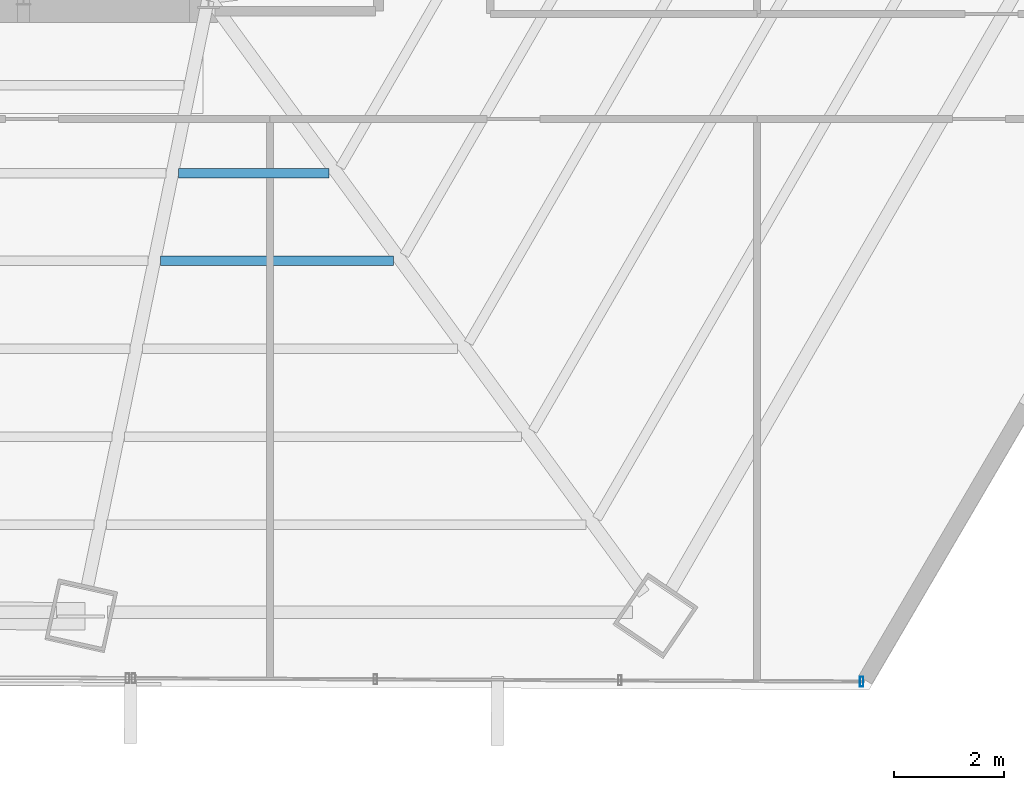
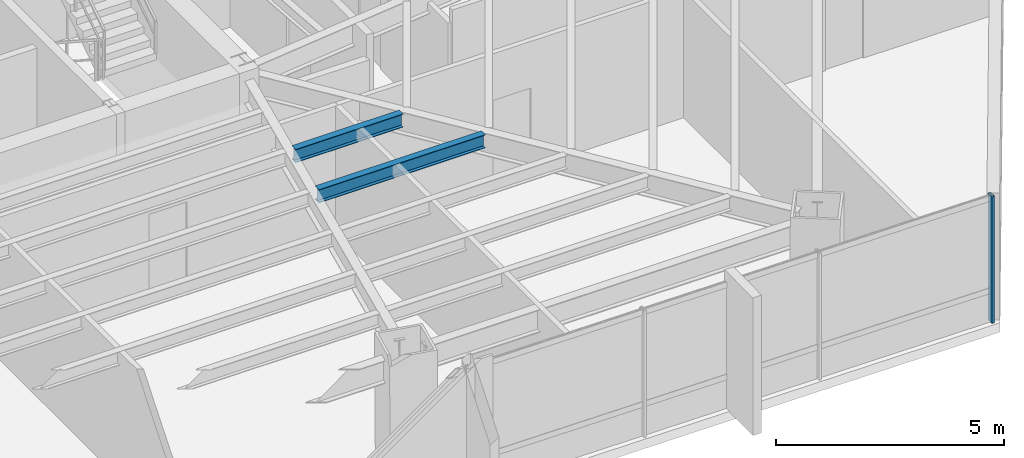
# One storey, part 18 of 35: 2 beams, 1 member, 1 element without a shape of its own.
"""IFC4 building model written with IfcOpenShell, lengths in metres."""

from ifc_helpers import new_model, si_unit, direction, frame, origin, origin_2d, place, context, subcontext, project, spatial, hollow_rectangle, i_section, extrude, source, transform, mapped, material, material_profile, profile_set, type_object, type_shapes, element, aggregate, save


model = new_model("IFC4")

# Units and contexts
model_context = context("Model", 3, precision=1e-05, world=origin(), true_north=direction((0.0, 1.0)))
body_context = subcontext(model_context, "Body", "Model", "MODEL_VIEW")
ifc_project = project(units=[si_unit("LENGTHUNIT", "METRE"), si_unit("AREAUNIT", "SQUARE_METRE"), si_unit("VOLUMEUNIT", "CUBIC_METRE"), si_unit("PLANEANGLEUNIT", "RADIAN"), si_unit("MASSUNIT", "GRAM", prefix="KILO")], contexts=[model_context])

# Site, building, storey
site_placement = place(None, origin())
site = spatial("IfcSite", under=ifc_project, at=site_placement, CompositionType="ELEMENT")
building_placement = place(site_placement, origin())
building = spatial("IfcBuilding", under=site, at=building_placement, Name="Caelisora Broadcast Tower", CompositionType="ELEMENT")
storey_placement = place(building_placement, frame((0.0, 0.0, 98.10009765625)))
storey = spatial("IfcBuildingStorey", under=building, at=storey_placement, Name="L25", CompositionType="ELEMENT", Elevation=98.10009765625)

# Beams
ifc_material_1 = material(Name="Steel Grade 350 (AS/NZS 3679.1)", Category="steel")
ifc_material_profile_1 = material_profile(ifc_material_1, i_section(OverallWidth=0.172119140625, OverallDepth=0.358642578125, WebThickness=0.008056640625, FlangeThickness=0.012939453125, at=origin_2d()), Name="Steel Grade 350 (AS/NZS 3679.1)")
ifc_profile_set_1 = profile_set([ifc_material_profile_1], Name="Steel Grade 350 (AS/NZS 3679.1)")
beam_type = type_object("IfcBeamType", Name="SB02", PredefinedType="JOIST", material=ifc_profile_set_1)
shared_shape_1 = source(origin(), body_context, "Body", "SweptSolid", [
    extrude(i_section(OverallWidth=0.172119140625, OverallDepth=0.358642578125, WebThickness=0.008056640625, FlangeThickness=0.012939453125, at=origin_2d()), origin(), (0.0, 0.0, 1.0), 2.7255859375),
])
beam_1_placement = place(storey_placement, frame((44.959228515625, 14.219482421875, 3.220703125), z_axis=(1.0, 0.0, 0.0), x_axis=(0.0, 1.0, 0.0)))
element("IfcBeam", 1, at=beam_1_placement, inside=storey, type_object=beam_type, Name="L25 beam SB02", PredefinedType="JOIST", context=body_context, shape_type="MappedRepresentation", body=[
    mapped(shared_shape_1, transform((0.0, 0.0, 0.0), scale=1.0)),
])
shared_shape_2 = source(origin(), body_context, "Body", "SweptSolid", [
    extrude(i_section(OverallWidth=0.172119140625, OverallDepth=0.358642578125, WebThickness=0.008056640625, FlangeThickness=0.012939453125, at=origin_2d()), origin(), (0.0, 0.0, 1.0), 4.21435546875),
])
type_shapes(beam_type, [shared_shape_1, shared_shape_2])
beam_2_placement = place(storey_placement, frame((44.632080078125, 12.62939453125, 3.220703125), z_axis=(1.0, 0.0, 0.0), x_axis=(0.0, 1.0, 0.0)))
element("IfcBeam", 2, at=beam_2_placement, inside=storey, type_object=beam_type, Name="L25 beam SB02", PredefinedType="JOIST", context=body_context, shape_type="MappedRepresentation", body=[
    mapped(shared_shape_2, transform((0.0, 0.0, 0.0), scale=1.0)),
])

# Curtain wall, member
ifc_material_2 = material(Name="Unitised Aluminium and Low-E Glass Curtain Wall", Category="glass")
curtain_wall_type = type_object("IfcCurtainWallType", Name="CW-Z2", PredefinedType="NOTDEFINED", material=ifc_material_2)
curtain_wall_placement = place(storey_placement, origin())
curtain_wall = element("IfcCurtainWall", 3, at=curtain_wall_placement, inside=storey, type_object=curtain_wall_type, Name="L25 curtain wall CW-Z2", PredefinedType="NOTDEFINED")
ifc_material_3 = material(Name="Aluminium 6063-T6 Anodised Terracotta Bronze", Category="aluminium")
ifc_material_profile_2 = material_profile(ifc_material_3, hollow_rectangle(XDim=0.06494140625, YDim=0.179931640625, WallThickness=0.00341796875, at=origin_2d()), Name="Aluminium 6063-T6 Anodised Terracotta Bronze")
ifc_profile_set_2 = profile_set([ifc_material_profile_2], Name="Aluminium 6063-T6 Anodised Terracotta Bronze")
member_type = type_object("IfcMemberType", Name="CWM-02", PredefinedType="MULLION", material=ifc_profile_set_2)
shared_shape_3 = source(origin(), body_context, "Body", "SweptSolid", [
    extrude(hollow_rectangle(XDim=0.06494140625, YDim=0.179931640625, WallThickness=0.00341796875, at=origin_2d()), origin(), (0.0, 0.0, 1.0), 3.39990234375),
])
type_shapes(member_type, [shared_shape_3])
member_placement = place(storey_placement, frame((57.322021484375, 5.01708984375, 0.0), z_axis=(0.0, 0.0, 1.0), x_axis=(1.0, 0.0, 0.0)))
member = element("IfcMember", 4, at=member_placement, type_object=member_type, Name="L25-CW-B05 mullion #0", PredefinedType="MULLION", context=body_context, shape_type="MappedRepresentation", body=[
    mapped(shared_shape_3, transform((0.0, 0.0, 0.0), scale=1.0)),
])
aggregate(curtain_wall, [member])

save(model, "model.ifc")
